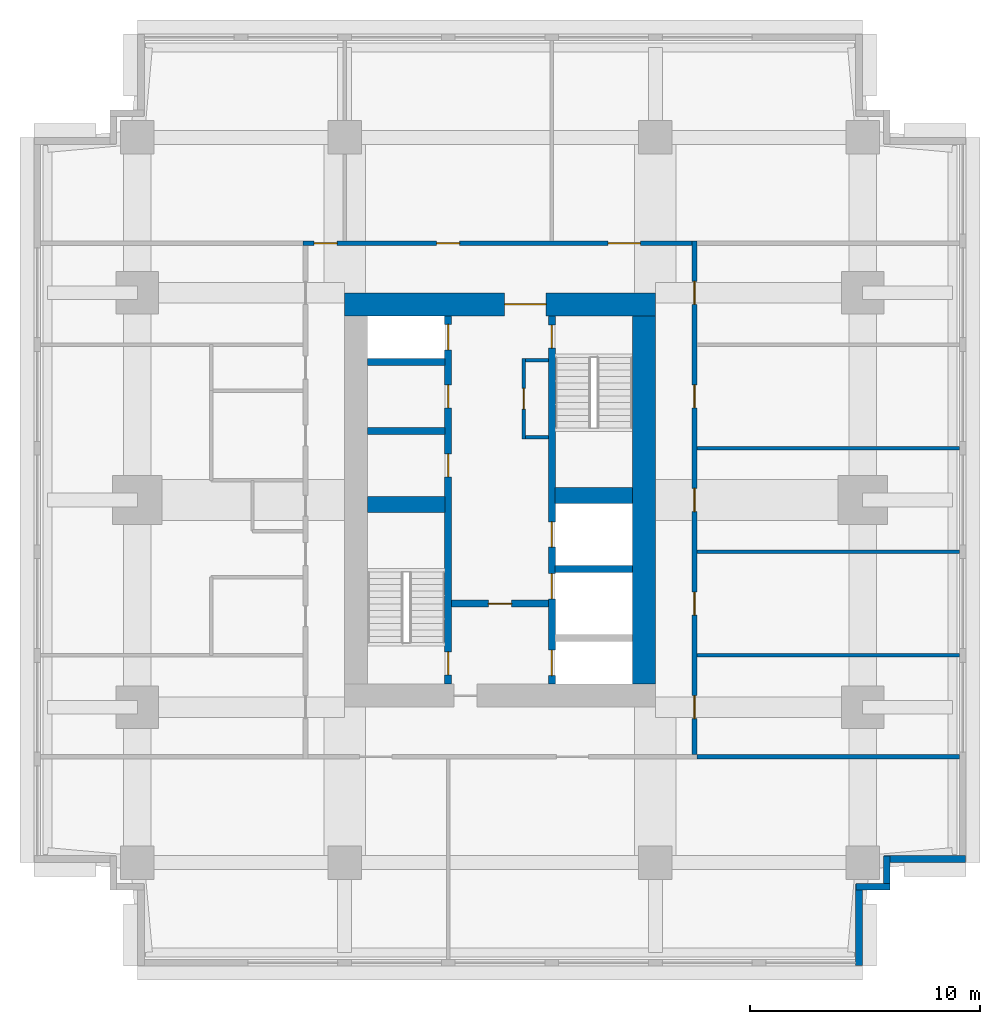
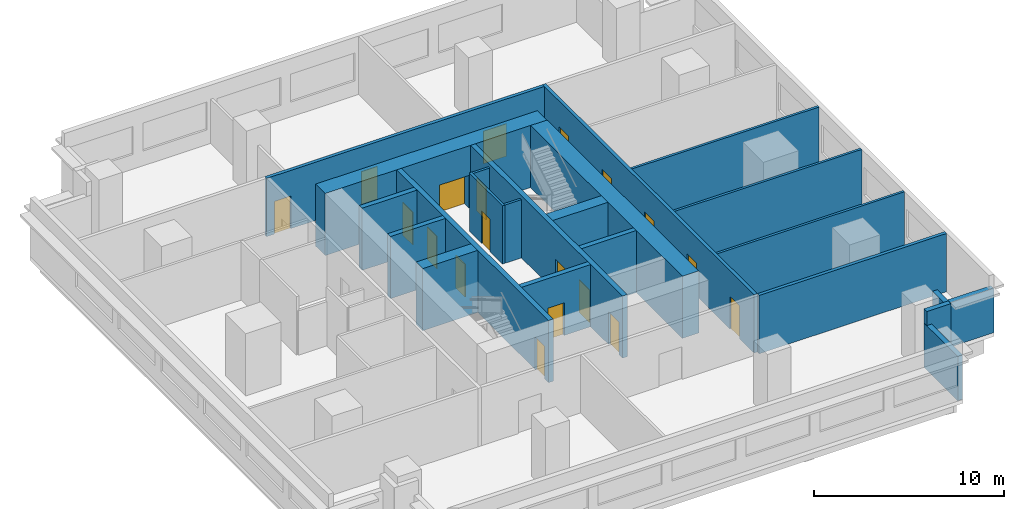
# One storey, part 3 of 5: 23 walls, 19 doors, 19 openings.
"""IFC4 building model written with IfcOpenShell, lengths in metres."""

from ifc_helpers import new_model, si_unit, direction, frame, frame_2d, origin, place, context, subcontext, project, spatial, rectangle, extrude, material, layer, layer_set, type_object, element, fill, save


model = new_model("IFC4")

# Units and contexts
model_context = context("Model", 3, precision=1e-05, world=origin(), true_north=direction((0.0, 1.0)))
body_context = subcontext(model_context, "Body", "Model", "MODEL_VIEW")
ifc_project = project(units=[si_unit("LENGTHUNIT", "METRE"), si_unit("AREAUNIT", "SQUARE_METRE"), si_unit("VOLUMEUNIT", "CUBIC_METRE"), si_unit("PLANEANGLEUNIT", "RADIAN"), si_unit("MASSUNIT", "GRAM", prefix="KILO")], contexts=[model_context])

# Site, building, storey
site_placement = place(None, origin())
site = spatial("IfcSite", under=ifc_project, at=site_placement, CompositionType="ELEMENT")
building_placement = place(site_placement, origin())
building = spatial("IfcBuilding", under=site, at=building_placement, Name="Namib Vertical Campus", CompositionType="ELEMENT")
storey_placement = place(building_placement, frame((0.0, 0.0, 257.0)))
storey = spatial("IfcBuildingStorey", under=building, at=storey_placement, Name="L60", CompositionType="ELEMENT", Elevation=257.0)

# Wall, openings, doors
ifc_material_1 = material(Name="Concrete C60/75", Category="concrete")
ifc_layer_1 = layer(ifc_material_1, 0.300048828125)
ifc_layer_set_1 = layer_set([ifc_layer_1], Name="Concrete C60/75")
wall_type_1 = type_object("IfcWallType", Name="Core inner wall 300", PredefinedType="SHEAR", material=ifc_layer_set_1)
wall_1_placement = place(storey_placement, frame((18.0, 12.25, 0.0), z_axis=(0.0, 0.0, 1.0), x_axis=(0.0, 1.0, 0.0)))
wall_1 = element("IfcWall", 1, at=wall_1_placement, inside=storey, type_object=wall_type_1, Name="Core inner wall A L60 W1", PredefinedType="SHEAR", context=body_context, shape_type="SweptSolid", body=[
    extrude(rectangle(XDim=16.0, YDim=0.300048828125, at=frame_2d((8.0, 0.0))), origin(), (0.0, 0.0, 1.0), 4.0),
])
opening_1_placement = place(wall_1_placement, frame((0.39990234375, 0.0, 0.0)))
opening_1 = element("IfcOpeningElement", 2, at=opening_1_placement, cuts=wall_1, Name="Opening FD1", PredefinedType="OPENING", context=body_context, shape_type="SweptSolid", body=[
    extrude(rectangle(XDim=1.0, YDim=2.10009765625, at=frame_2d((0.5, 1.050048828125))), frame((0.0, 0.159912109375, 0.0), z_axis=(0.0, -1.0, 0.0), x_axis=(1.0, 0.0, 0.0)), (0.0, 0.0, 1.0), 0.320068359375),
])
opening_2_placement = place(wall_1_placement, frame((14.52490234375, 0.0, 0.0)))
opening_2 = element("IfcOpeningElement", 3, at=opening_2_placement, cuts=wall_1, Name="Opening LD1", PredefinedType="OPENING", context=body_context, shape_type="SweptSolid", body=[
    extrude(rectangle(XDim=1.10009765625, YDim=2.10009765625, at=frame_2d((0.550048828125, 1.050048828125))), frame((0.0, 0.159912109375, 0.0), z_axis=(0.0, -1.0, 0.0), x_axis=(1.0, 0.0, 0.0)), (0.0, 0.0, 1.0), 0.320068359375),
])
opening_3_placement = place(wall_1_placement, frame((9.0, 0.0, 0.0)))
opening_3 = element("IfcOpeningElement", 4, at=opening_3_placement, cuts=wall_1, Name="Opening D1", PredefinedType="OPENING", context=body_context, shape_type="SweptSolid", body=[
    extrude(rectangle(XDim=1.0, YDim=2.10009765625, at=frame_2d((0.5, 1.050048828125))), frame((0.0, 0.159912109375, 0.0), z_axis=(0.0, -1.0, 0.0), x_axis=(1.0, 0.0, 0.0)), (0.0, 0.0, 1.0), 0.320068359375),
])
opening_4_placement = place(wall_1_placement, frame((12.0, 0.0, 0.0)))
opening_4 = element("IfcOpeningElement", 5, at=opening_4_placement, cuts=wall_1, Name="Opening D1", PredefinedType="OPENING", context=body_context, shape_type="SweptSolid", body=[
    extrude(rectangle(XDim=1.0, YDim=2.10009765625, at=frame_2d((0.5, 1.050048828125))), frame((0.0, 0.159912109375, 0.0), z_axis=(0.0, -1.0, 0.0), x_axis=(1.0, 0.0, 0.0)), (0.0, 0.0, 1.0), 0.320068359375),
])
ifc_material_2 = material(Name="Timber door leaf", Category="wood")
door_type_1 = type_object("IfcDoorType", Name="Door single 1000x2100", OperationType="SINGLE_SWING_LEFT", PredefinedType="DOOR", material=ifc_material_2)
door_1_placement = place(opening_3_placement, origin())
door_1 = element("IfcDoor", 6, at=door_1_placement, inside=storey, type_object=door_type_1, Name="Door D1 Store A L60 P1", OperationType="SINGLE_SWING_LEFT", OverallHeight=2.10009765625, OverallWidth=1.0, PredefinedType="DOOR", context=body_context, shape_type="SweptSolid", body=[
    extrude(rectangle(XDim=1.0, YDim=2.10009765625, at=frame_2d((0.5, 1.050048828125))), frame((0.0, 0.02490234375, 0.0), z_axis=(0.0, -1.0, 0.0), x_axis=(1.0, 0.0, 0.0)), (0.0, 0.0, 1.0), 0.050048828125),
])
fill(opening_3, door_1)
door_2_placement = place(opening_4_placement, origin())
door_2 = element("IfcDoor", 7, at=door_2_placement, inside=storey, type_object=door_type_1, Name="Door D1 Comms room A L60 P2", OperationType="SINGLE_SWING_LEFT", OverallHeight=2.10009765625, OverallWidth=1.0, PredefinedType="DOOR", context=body_context, shape_type="SweptSolid", body=[
    extrude(rectangle(XDim=1.0, YDim=2.10009765625, at=frame_2d((0.5, 1.050048828125))), frame((0.0, 0.02490234375, 0.0), z_axis=(0.0, -1.0, 0.0), x_axis=(1.0, 0.0, 0.0)), (0.0, 0.0, 1.0), 0.050048828125),
])
fill(opening_4, door_2)
ifc_material_3 = material(Name="Steel fire door", Category="steel")
door_type_2 = type_object("IfcDoorType", Name="Fire door 1000x2100", OperationType="SINGLE_SWING_RIGHT", PredefinedType="DOOR", material=ifc_material_3)
door_3_placement = place(opening_1_placement, origin())
door_3 = element("IfcDoor", 8, at=door_3_placement, inside=storey, type_object=door_type_2, Name="Stair door FD1 A L60 S1", OperationType="SINGLE_SWING_LEFT", OverallHeight=2.10009765625, OverallWidth=1.0, PredefinedType="DOOR", context=body_context, shape_type="SweptSolid", body=[
    extrude(rectangle(XDim=1.0, YDim=2.10009765625, at=frame_2d((0.5, 1.050048828125))), frame((0.0, 0.02490234375, 0.0), z_axis=(0.0, -1.0, 0.0), x_axis=(1.0, 0.0, 0.0)), (0.0, 0.0, 1.0), 0.050048828125),
])
fill(opening_1, door_3)
ifc_material_4 = material(Name="Stainless steel lift door", Category="steel")
door_type_3 = type_object("IfcDoorType", Name="Lift landing door 1100x2100", OperationType="DOUBLE_DOOR_SLIDING", PredefinedType="DOOR", material=ifc_material_4)
door_4_placement = place(opening_2_placement, origin())
door_4 = element("IfcDoor", 9, at=door_4_placement, inside=storey, type_object=door_type_3, Name="Lift landing door LD1 A-P3 L60", OperationType="DOUBLE_DOOR_SLIDING", OverallHeight=2.10009765625, OverallWidth=1.10009765625, PredefinedType="DOOR", context=body_context, shape_type="SweptSolid", body=[
    extrude(rectangle(XDim=1.10009765625, YDim=2.10009765625, at=frame_2d((0.550048828125, 1.050048828125))), frame((0.0, 0.02490234375, 0.0), z_axis=(0.0, -1.0, 0.0), x_axis=(1.0, 0.0, 0.0)), (0.0, 0.0, 1.0), 0.050048828125),
])
fill(opening_2, door_4)

wall_2_placement = place(storey_placement, frame((22.5, 12.25, 0.0), z_axis=(0.0, 0.0, 1.0), x_axis=(0.0, 1.0, 0.0)))
wall_2 = element("IfcWall", 10, at=wall_2_placement, inside=storey, type_object=wall_type_1, Name="Core inner wall A L60 W2", PredefinedType="SHEAR", context=body_context, shape_type="SweptSolid", body=[
    extrude(rectangle(XDim=16.0, YDim=0.300048828125, at=frame_2d((8.0, 0.0))), origin(), (0.0, 0.0, 1.0), 4.0),
])
opening_5_placement = place(wall_2_placement, frame((14.60009765625, 0.0, 0.0)))
opening_5 = element("IfcOpeningElement", 11, at=opening_5_placement, cuts=wall_2, Name="Opening FD1", PredefinedType="OPENING", context=body_context, shape_type="SweptSolid", body=[
    extrude(rectangle(XDim=1.0, YDim=2.10009765625, at=frame_2d((0.5, 1.050048828125))), frame((0.0, 0.159912109375, 0.0), z_axis=(0.0, -1.0, 0.0), x_axis=(1.0, 0.0, 0.0)), (0.0, 0.0, 1.0), 0.320068359375),
])
opening_6_placement = place(wall_2_placement, frame((0.375, 0.0, 0.0)))
opening_6 = element("IfcOpeningElement", 12, at=opening_6_placement, cuts=wall_2, Name="Opening LD1", PredefinedType="OPENING", context=body_context, shape_type="SweptSolid", body=[
    extrude(rectangle(XDim=1.10009765625, YDim=2.10009765625, at=frame_2d((0.550048828125, 1.050048828125))), frame((0.0, 0.159912109375, 0.0), z_axis=(0.0, -1.0, 0.0), x_axis=(1.0, 0.0, 0.0)), (0.0, 0.0, 1.0), 0.320068359375),
])
opening_7_placement = place(wall_2_placement, frame((3.699951171875, 0.0, 0.0)))
opening_7 = element("IfcOpeningElement", 13, at=opening_7_placement, cuts=wall_2, Name="Opening LD1", PredefinedType="OPENING", context=body_context, shape_type="SweptSolid", body=[
    extrude(rectangle(XDim=1.10009765625, YDim=2.10009765625, at=frame_2d((0.550048828125, 1.050048828125))), frame((0.0, 0.159912109375, 0.0), z_axis=(0.0, -1.0, 0.0), x_axis=(1.0, 0.0, 0.0)), (0.0, 0.0, 1.0), 0.320068359375),
])
opening_8_placement = place(wall_2_placement, frame((5.949951171875, 0.0, 0.0)))
opening_8 = element("IfcOpeningElement", 14, at=opening_8_placement, cuts=wall_2, Name="Opening LD1", PredefinedType="OPENING", context=body_context, shape_type="SweptSolid", body=[
    extrude(rectangle(XDim=1.10009765625, YDim=2.10009765625, at=frame_2d((0.550048828125, 1.050048828125))), frame((0.0, 0.159912109375, 0.0), z_axis=(0.0, -1.0, 0.0), x_axis=(1.0, 0.0, 0.0)), (0.0, 0.0, 1.0), 0.320068359375),
])
door_5_placement = place(opening_5_placement, frame((1.0, 0.0, 0.0), z_axis=(0.0, 0.0, 1.0), x_axis=(-1.0, 0.0, 0.0)))
door_5 = element("IfcDoor", 15, at=door_5_placement, inside=storey, type_object=door_type_2, Name="Stair door FD1 A L60 S2", OperationType="SINGLE_SWING_LEFT", OverallHeight=2.10009765625, OverallWidth=1.0, PredefinedType="DOOR", context=body_context, shape_type="SweptSolid", body=[
    extrude(rectangle(XDim=1.0, YDim=2.10009765625, at=frame_2d((0.5, 1.050048828125))), frame((0.0, 0.02490234375, 0.0), z_axis=(0.0, -1.0, 0.0), x_axis=(1.0, 0.0, 0.0)), (0.0, 0.0, 1.0), 0.050048828125),
])
fill(opening_5, door_5)
door_6_placement = place(opening_6_placement, origin())
door_6 = element("IfcDoor", 16, at=door_6_placement, inside=storey, type_object=door_type_3, Name="Lift landing door LD1 A-FL1 L60", OperationType="DOUBLE_DOOR_SLIDING", OverallHeight=2.10009765625, OverallWidth=1.10009765625, PredefinedType="DOOR", context=body_context, shape_type="SweptSolid", body=[
    extrude(rectangle(XDim=1.10009765625, YDim=2.10009765625, at=frame_2d((0.550048828125, 1.050048828125))), frame((0.0, 0.02490234375, 0.0), z_axis=(0.0, -1.0, 0.0), x_axis=(1.0, 0.0, 0.0)), (0.0, 0.0, 1.0), 0.050048828125),
])
fill(opening_6, door_6)
door_7_placement = place(opening_7_placement, origin())
door_7 = element("IfcDoor", 17, at=door_7_placement, inside=storey, type_object=door_type_3, Name="Lift landing door LD1 A-P4 L60", OperationType="DOUBLE_DOOR_SLIDING", OverallHeight=2.10009765625, OverallWidth=1.10009765625, PredefinedType="DOOR", context=body_context, shape_type="SweptSolid", body=[
    extrude(rectangle(XDim=1.10009765625, YDim=2.10009765625, at=frame_2d((0.550048828125, 1.050048828125))), frame((0.0, 0.02490234375, 0.0), z_axis=(0.0, -1.0, 0.0), x_axis=(1.0, 0.0, 0.0)), (0.0, 0.0, 1.0), 0.050048828125),
])
fill(opening_7, door_7)
door_8_placement = place(opening_8_placement, origin())
door_8 = element("IfcDoor", 18, at=door_8_placement, inside=storey, type_object=door_type_3, Name="Lift landing door LD1 A-P5 L60", OperationType="DOUBLE_DOOR_SLIDING", OverallHeight=2.10009765625, OverallWidth=1.10009765625, PredefinedType="DOOR", context=body_context, shape_type="SweptSolid", body=[
    extrude(rectangle(XDim=1.10009765625, YDim=2.10009765625, at=frame_2d((0.550048828125, 1.050048828125))), frame((0.0, 0.02490234375, 0.0), z_axis=(0.0, -1.0, 0.0), x_axis=(1.0, 0.0, 0.0)), (0.0, 0.0, 1.0), 0.050048828125),
])
fill(opening_8, door_8)

# Wall, opening, door
wall_3_placement = place(storey_placement, frame((18.14990234375, 15.75, 0.0), z_axis=(0.0, 0.0, 1.0), x_axis=(1.0, 0.0, 0.0)))
wall_3 = element("IfcWall", 19, at=wall_3_placement, inside=storey, type_object=wall_type_1, Name="Core inner wall A L60 W4", PredefinedType="SHEAR", context=body_context, shape_type="SweptSolid", body=[
    extrude(rectangle(XDim=4.2001953125, YDim=0.300048828125, at=frame_2d((2.10009765625, 0.0))), origin(), (0.0, 0.0, 1.0), 4.0),
])
opening_9_placement = place(wall_3_placement, frame((1.60009765625, 0.0, 0.0)))
opening_9 = element("IfcOpeningElement", 20, at=opening_9_placement, cuts=wall_3, Name="Opening FD5", PredefinedType="OPENING", context=body_context, shape_type="SweptSolid", body=[
    extrude(rectangle(XDim=1.0, YDim=2.10009765625, at=frame_2d((0.5, 1.050048828125))), frame((0.0, 0.159912109375, 0.0), z_axis=(0.0, -1.0, 0.0), x_axis=(1.0, 0.0, 0.0)), (0.0, 0.0, 1.0), 0.320068359375),
])
ifc_material_5 = material(Name="Steel fire door", Category="steel")
door_type_4 = type_object("IfcDoorType", Name="Fire door 1000x2100 120 min", OperationType="SINGLE_SWING_RIGHT", PredefinedType="DOOR", material=ifc_material_5)
door_9_placement = place(opening_9_placement, frame((1.0, 0.0, 0.0), z_axis=(0.0, 0.0, 1.0), x_axis=(-1.0, 0.0, 0.0)))
door_9 = element("IfcDoor", 21, at=door_9_placement, inside=storey, type_object=door_type_4, Name="Lobby door FD5 A L60", OperationType="SINGLE_SWING_RIGHT", OverallHeight=2.10009765625, OverallWidth=1.0, PredefinedType="DOOR", context=body_context, shape_type="SweptSolid", body=[
    extrude(rectangle(XDim=1.0, YDim=2.10009765625, at=frame_2d((0.5, 1.050048828125))), frame((0.0, 0.02490234375, 0.0), z_axis=(0.0, -1.0, 0.0), x_axis=(1.0, 0.0, 0.0)), (0.0, 0.0, 1.0), 0.050048828125),
])
fill(opening_9, door_9)

# Walls
for number, where, z_axis, x_axis, name in (
    (22, (22.64990234375, 17.25, 0.0), (0.0, 0.0, 1.0), (1.0, 0.0, 0.0), "Core inner wall A L60 W6"),
    (23, (14.5, 23.25, 0.0), (0.0, 0.0, 1.0), (1.0, 0.0, 0.0), "Core inner wall A L60 W8"),
    (24, (14.5, 26.25, 0.0), (0.0, 0.0, 1.0), (1.0, 0.0, 0.0), "Core inner wall A L60 W9"),
):
    element("IfcWall", number, at=place(storey_placement, frame(where, z_axis=z_axis, x_axis=x_axis)), inside=storey, type_object=wall_type_1, Name=name, PredefinedType="SHEAR", context=body_context, shape_type="SweptSolid", body=[
        extrude(rectangle(XDim=3.35009765625, YDim=0.300048828125, at=frame_2d((1.675048828125, 0.0))), origin(), (0.0, 0.0, 1.0), 4.0),
    ])
ifc_material_6 = material(Name="Concrete C60/75", Category="concrete")
ifc_layer_2 = layer(ifc_material_6, 0.699951171875)
ifc_layer_set_2 = layer_set([ifc_layer_2], Name="Concrete C60/75")
wall_type_2 = type_object("IfcWallType", Name="Core shear wall 700", PredefinedType="SHEAR", material=ifc_layer_set_2)
for number, where, z_axis, x_axis, name in (
    (25, (14.5, 20.050048828125, 0.0), (0.0, 0.0, 1.0), (1.0, 0.0, 0.0), "Core shear wall A L60 W3"),
    (26, (22.64990234375, 20.449951171875, 0.0), (0.0, 0.0, 1.0), (1.0, 0.0, 0.0), "Core shear wall A L60 W7"),
):
    element("IfcWall", number, at=place(storey_placement, frame(where, z_axis=z_axis, x_axis=x_axis)), inside=storey, type_object=wall_type_2, Name=name, PredefinedType="SHEAR", context=body_context, shape_type="SweptSolid", body=[
        extrude(rectangle(XDim=3.35009765625, YDim=0.699951171875, at=frame_2d((1.675048828125, 0.0))), origin(), (0.0, 0.0, 1.0), 4.0),
    ])
ifc_material_7 = material(Name="Concrete C60/75", Category="concrete")
ifc_layer_3 = layer(ifc_material_7, 1.0)
ifc_layer_set_3 = layer_set([ifc_layer_3], Name="Concrete C60/75")
wall_type_3 = type_object("IfcWallType", Name="Core wall 1000", PredefinedType="SHEAR", material=ifc_layer_set_3)
wall_4_placement = place(storey_placement, frame((26.5, 12.25, 0.0), z_axis=(0.0, 0.0, 1.0), x_axis=(0.0, 1.0, 0.0)))
element("IfcWall", 27, at=wall_4_placement, inside=storey, type_object=wall_type_3, Name="Core wall A L60 2", PredefinedType="SHEAR", context=body_context, shape_type="SweptSolid", body=[
    extrude(rectangle(XDim=16.0, YDim=1.0, at=frame_2d((8.0, 0.0))), origin(), (0.0, 0.0, 1.0), 4.0),
])

# Wall, opening, door
wall_5_placement = place(storey_placement, frame((27.0, 28.75, 0.0), z_axis=(0.0, 0.0, 1.0), x_axis=(-1.0, 0.0, 0.0)))
wall_5 = element("IfcWall", 28, at=wall_5_placement, inside=storey, type_object=wall_type_3, Name="Core wall A L60 3", PredefinedType="SHEAR", context=body_context, shape_type="SweptSolid", body=[
    extrude(rectangle(XDim=13.5, YDim=1.0, at=frame_2d((6.75, 0.0))), origin(), (0.0, 0.0, 1.0), 4.0),
])
opening_10_placement = place(wall_5_placement, frame((4.75, 0.0, 0.0)))
opening_10 = element("IfcOpeningElement", 29, at=opening_10_placement, cuts=wall_5, Name="Opening FD2", PredefinedType="OPENING", context=body_context, shape_type="SweptSolid", body=[
    extrude(rectangle(XDim=1.800048828125, YDim=2.10009765625, at=frame_2d((0.89990234375, 1.050048828125))), frame((0.0, 0.510009765625, 0.0), z_axis=(0.0, -1.0, 0.0), x_axis=(1.0, 0.0, 0.0)), (0.0, 0.0, 1.0), 1.02001953125),
])
ifc_material_8 = material(Name="Steel fire door", Category="steel")
door_type_5 = type_object("IfcDoorType", Name="Fire door double 1800x2100", OperationType="DOUBLE_DOOR_SINGLE_SWING", PredefinedType="DOOR", material=ifc_material_8)
door_10_placement = place(opening_10_placement, origin())
door_10 = element("IfcDoor", 30, at=door_10_placement, inside=storey, type_object=door_type_5, Name="Lift lobby door FD2 A L60", OperationType="DOUBLE_DOOR_SINGLE_SWING", OverallHeight=2.10009765625, OverallWidth=1.800048828125, PredefinedType="DOOR", context=body_context, shape_type="SweptSolid", body=[
    extrude(rectangle(XDim=1.800048828125, YDim=2.10009765625, at=frame_2d((0.89990234375, 1.050048828125))), frame((0.0, 0.02490234375, 0.0), z_axis=(0.0, -1.0, 0.0), x_axis=(1.0, 0.0, 0.0)), (0.0, 0.0, 1.0), 0.050048828125),
])
fill(opening_10, door_10)

# Wall, openings, doors
ifc_material_9 = material(Name="Concrete masonry", Category="masonry")
ifc_layer_4 = layer(ifc_material_9, 0.199951171875)
ifc_layer_set_4 = layer_set([ifc_layer_4], Name="Corridor wall 200")
wall_type_4 = type_object("IfcWallType", Name="Corridor wall 200", PredefinedType="SOLIDWALL", material=ifc_layer_set_4)
wall_6_placement = place(storey_placement, frame((28.699951171875, 9.199951171875, 0.0), z_axis=(0.0, 0.0, 1.0), x_axis=(0.0, 1.0, 0.0)))
wall_6 = element("IfcWall", 31, at=wall_6_placement, inside=storey, type_object=wall_type_4, Name="Corridor wall A L60 CE", PredefinedType="SOLIDWALL", context=body_context, shape_type="SweptSolid", body=[
    extrude(rectangle(XDim=22.300048828125, YDim=0.199951171875, at=frame_2d((11.14990234375, 0.0))), origin(), (0.0, 0.0, 1.0), 3.75),
])
opening_11_placement = place(wall_6_placement, frame((1.550048828125, 0.0, 0.0)))
opening_11 = element("IfcOpeningElement", 32, at=opening_11_placement, cuts=wall_6, Name="Opening CD1", PredefinedType="OPENING", context=body_context, shape_type="SweptSolid", body=[
    extrude(rectangle(XDim=1.0, YDim=2.10009765625, at=frame_2d((0.5, 1.050048828125))), frame((0.0, 0.10986328125, 0.0), z_axis=(0.0, -1.0, 0.0), x_axis=(1.0, 0.0, 0.0)), (0.0, 0.0, 1.0), 0.219970703125),
])
opening_12_placement = place(wall_6_placement, frame((6.050048828125, 0.0, 0.0)))
opening_12 = element("IfcOpeningElement", 33, at=opening_12_placement, cuts=wall_6, Name="Opening CD1", PredefinedType="OPENING", context=body_context, shape_type="SweptSolid", body=[
    extrude(rectangle(XDim=1.0, YDim=2.10009765625, at=frame_2d((0.5, 1.050048828125))), frame((0.0, 0.10986328125, 0.0), z_axis=(0.0, -1.0, 0.0), x_axis=(1.0, 0.0, 0.0)), (0.0, 0.0, 1.0), 0.219970703125),
])
opening_13_placement = place(wall_6_placement, frame((10.550048828125, 0.0, 0.0)))
opening_13 = element("IfcOpeningElement", 34, at=opening_13_placement, cuts=wall_6, Name="Opening CD1", PredefinedType="OPENING", context=body_context, shape_type="SweptSolid", body=[
    extrude(rectangle(XDim=1.0, YDim=2.10009765625, at=frame_2d((0.5, 1.050048828125))), frame((0.0, 0.10986328125, 0.0), z_axis=(0.0, -1.0, 0.0), x_axis=(1.0, 0.0, 0.0)), (0.0, 0.0, 1.0), 0.219970703125),
])
opening_14_placement = place(wall_6_placement, frame((15.050048828125, 0.0, 0.0)))
opening_14 = element("IfcOpeningElement", 35, at=opening_14_placement, cuts=wall_6, Name="Opening CD1", PredefinedType="OPENING", context=body_context, shape_type="SweptSolid", body=[
    extrude(rectangle(XDim=1.0, YDim=2.10009765625, at=frame_2d((0.5, 1.050048828125))), frame((0.0, 0.10986328125, 0.0), z_axis=(0.0, -1.0, 0.0), x_axis=(1.0, 0.0, 0.0)), (0.0, 0.0, 1.0), 0.219970703125),
])
opening_15_placement = place(wall_6_placement, frame((19.550048828125, 0.0, 0.0)))
opening_15 = element("IfcOpeningElement", 36, at=opening_15_placement, cuts=wall_6, Name="Opening CD1", PredefinedType="OPENING", context=body_context, shape_type="SweptSolid", body=[
    extrude(rectangle(XDim=1.0, YDim=2.10009765625, at=frame_2d((0.5, 1.050048828125))), frame((0.0, 0.10986328125, 0.0), z_axis=(0.0, -1.0, 0.0), x_axis=(1.0, 0.0, 0.0)), (0.0, 0.0, 1.0), 0.219970703125),
])
ifc_material_10 = material(Name="Timber fire door leaf", Category="wood")
door_type_6 = type_object("IfcDoorType", Name="Corridor door 1000x2100 20 min", OperationType="SINGLE_SWING_LEFT", PredefinedType="DOOR", material=ifc_material_10)
door_11_placement = place(opening_11_placement, frame((1.0, 0.0, 0.0), z_axis=(0.0, 0.0, 1.0), x_axis=(-1.0, 0.0, 0.0)))
door_11 = element("IfcDoor", 37, at=door_11_placement, inside=storey, type_object=door_type_6, Name="Door CD1 A60-03", OperationType="SINGLE_SWING_RIGHT", OverallHeight=2.10009765625, OverallWidth=1.0, PredefinedType="DOOR", context=body_context, shape_type="SweptSolid", body=[
    extrude(rectangle(XDim=1.0, YDim=2.10009765625, at=frame_2d((0.5, 1.050048828125))), frame((0.0, 0.02490234375, 0.0), z_axis=(0.0, -1.0, 0.0), x_axis=(1.0, 0.0, 0.0)), (0.0, 0.0, 1.0), 0.050048828125),
])
fill(opening_11, door_11)
door_12_placement = place(opening_12_placement, frame((1.0, 0.0, 0.0), z_axis=(0.0, 0.0, 1.0), x_axis=(-1.0, 0.0, 0.0)))
door_12 = element("IfcDoor", 38, at=door_12_placement, inside=storey, type_object=door_type_6, Name="Door CD1 A60-04", OperationType="SINGLE_SWING_RIGHT", OverallHeight=2.10009765625, OverallWidth=1.0, PredefinedType="DOOR", context=body_context, shape_type="SweptSolid", body=[
    extrude(rectangle(XDim=1.0, YDim=2.10009765625, at=frame_2d((0.5, 1.050048828125))), frame((0.0, 0.02490234375, 0.0), z_axis=(0.0, -1.0, 0.0), x_axis=(1.0, 0.0, 0.0)), (0.0, 0.0, 1.0), 0.050048828125),
])
fill(opening_12, door_12)
door_13_placement = place(opening_13_placement, frame((1.0, 0.0, 0.0), z_axis=(0.0, 0.0, 1.0), x_axis=(-1.0, 0.0, 0.0)))
door_13 = element("IfcDoor", 39, at=door_13_placement, inside=storey, type_object=door_type_6, Name="Door CD1 A60-05", OperationType="SINGLE_SWING_RIGHT", OverallHeight=2.10009765625, OverallWidth=1.0, PredefinedType="DOOR", context=body_context, shape_type="SweptSolid", body=[
    extrude(rectangle(XDim=1.0, YDim=2.10009765625, at=frame_2d((0.5, 1.050048828125))), frame((0.0, 0.02490234375, 0.0), z_axis=(0.0, -1.0, 0.0), x_axis=(1.0, 0.0, 0.0)), (0.0, 0.0, 1.0), 0.050048828125),
])
fill(opening_13, door_13)
door_14_placement = place(opening_14_placement, frame((1.0, 0.0, 0.0), z_axis=(0.0, 0.0, 1.0), x_axis=(-1.0, 0.0, 0.0)))
door_14 = element("IfcDoor", 40, at=door_14_placement, inside=storey, type_object=door_type_6, Name="Door CD1 A60-06", OperationType="SINGLE_SWING_RIGHT", OverallHeight=2.10009765625, OverallWidth=1.0, PredefinedType="DOOR", context=body_context, shape_type="SweptSolid", body=[
    extrude(rectangle(XDim=1.0, YDim=2.10009765625, at=frame_2d((0.5, 1.050048828125))), frame((0.0, 0.02490234375, 0.0), z_axis=(0.0, -1.0, 0.0), x_axis=(1.0, 0.0, 0.0)), (0.0, 0.0, 1.0), 0.050048828125),
])
fill(opening_14, door_14)
door_15_placement = place(opening_15_placement, frame((1.0, 0.0, 0.0), z_axis=(0.0, 0.0, 1.0), x_axis=(-1.0, 0.0, 0.0)))
door_15 = element("IfcDoor", 41, at=door_15_placement, inside=storey, type_object=door_type_6, Name="Door CD1 A60-07", OperationType="SINGLE_SWING_RIGHT", OverallHeight=2.10009765625, OverallWidth=1.0, PredefinedType="DOOR", context=body_context, shape_type="SweptSolid", body=[
    extrude(rectangle(XDim=1.0, YDim=2.10009765625, at=frame_2d((0.5, 1.050048828125))), frame((0.0, 0.02490234375, 0.0), z_axis=(0.0, -1.0, 0.0), x_axis=(1.0, 0.0, 0.0)), (0.0, 0.0, 1.0), 0.050048828125),
])
fill(opening_15, door_15)

wall_7_placement = place(storey_placement, frame((28.60009765625, 31.39990234375, 0.0), z_axis=(0.0, 0.0, 1.0), x_axis=(-1.0, 0.0, 0.0)))
wall_7 = element("IfcWall", 42, at=wall_7_placement, inside=storey, type_object=wall_type_4, Name="Corridor wall A L60 CN", PredefinedType="SOLIDWALL", context=body_context, shape_type="SweptSolid", body=[
    extrude(rectangle(XDim=16.900146484375, YDim=0.199951171875, at=frame_2d((8.4501953125, 0.0))), origin(), (0.0, 0.0, 1.0), 3.75),
])
opening_16_placement = place(wall_7_placement, frame((15.425048828125, 0.0, 0.0)))
opening_16 = element("IfcOpeningElement", 43, at=opening_16_placement, cuts=wall_7, Name="Opening CD1", PredefinedType="OPENING", context=body_context, shape_type="SweptSolid", body=[
    extrude(rectangle(XDim=1.0, YDim=2.10009765625, at=frame_2d((0.5, 1.050048828125))), frame((0.0, 0.10986328125, 0.0), z_axis=(0.0, -1.0, 0.0), x_axis=(1.0, 0.0, 0.0)), (0.0, 0.0, 1.0), 0.219970703125),
])
opening_17_placement = place(wall_7_placement, frame((10.10009765625, 0.0, 0.0)))
opening_17 = element("IfcOpeningElement", 44, at=opening_17_placement, cuts=wall_7, Name="Opening CD1", PredefinedType="OPENING", context=body_context, shape_type="SweptSolid", body=[
    extrude(rectangle(XDim=1.0, YDim=2.10009765625, at=frame_2d((0.5, 1.050048828125))), frame((0.0, 0.10986328125, 0.0), z_axis=(0.0, -1.0, 0.0), x_axis=(1.0, 0.0, 0.0)), (0.0, 0.0, 1.0), 0.219970703125),
])
opening_18_placement = place(wall_7_placement, frame((2.25, 0.0, 0.0)))
opening_18 = element("IfcOpeningElement", 45, at=opening_18_placement, cuts=wall_7, Name="Opening LB1", PredefinedType="OPENING", context=body_context, shape_type="SweptSolid", body=[
    extrude(rectangle(XDim=1.39990234375, YDim=2.10009765625, at=frame_2d((0.699951171875, 1.050048828125))), frame((0.0, 0.10986328125, 0.0), z_axis=(0.0, -1.0, 0.0), x_axis=(1.0, 0.0, 0.0)), (0.0, 0.0, 1.0), 0.219970703125),
])
door_16_placement = place(opening_16_placement, frame((1.0, 0.0, 0.0), z_axis=(0.0, 0.0, 1.0), x_axis=(-1.0, 0.0, 0.0)))
door_16 = element("IfcDoor", 46, at=door_16_placement, inside=storey, type_object=door_type_6, Name="Door CD1 A60-08", OperationType="SINGLE_SWING_RIGHT", OverallHeight=2.10009765625, OverallWidth=1.0, PredefinedType="DOOR", context=body_context, shape_type="SweptSolid", body=[
    extrude(rectangle(XDim=1.0, YDim=2.10009765625, at=frame_2d((0.5, 1.050048828125))), frame((0.0, 0.02490234375, 0.0), z_axis=(0.0, -1.0, 0.0), x_axis=(1.0, 0.0, 0.0)), (0.0, 0.0, 1.0), 0.050048828125),
])
fill(opening_16, door_16)
door_17_placement = place(opening_17_placement, frame((1.0, 0.0, 0.0), z_axis=(0.0, 0.0, 1.0), x_axis=(-1.0, 0.0, 0.0)))
door_17 = element("IfcDoor", 47, at=door_17_placement, inside=storey, type_object=door_type_6, Name="Door CD1 A60-09", OperationType="SINGLE_SWING_RIGHT", OverallHeight=2.10009765625, OverallWidth=1.0, PredefinedType="DOOR", context=body_context, shape_type="SweptSolid", body=[
    extrude(rectangle(XDim=1.0, YDim=2.10009765625, at=frame_2d((0.5, 1.050048828125))), frame((0.0, 0.02490234375, 0.0), z_axis=(0.0, -1.0, 0.0), x_axis=(1.0, 0.0, 0.0)), (0.0, 0.0, 1.0), 0.050048828125),
])
fill(opening_17, door_17)
ifc_material_11 = material(Name="Timber fire door leaf", Category="wood")
door_type_7 = type_object("IfcDoorType", Name="Laboratory door 1400x2100 leaf and a half", OperationType="DOUBLE_DOOR_SINGLE_SWING", PredefinedType="DOOR", material=ifc_material_11)
door_18_placement = place(opening_18_placement, frame((1.39990234375, 0.0, 0.0), z_axis=(0.0, 0.0, 1.0), x_axis=(-1.0, 0.0, 0.0)))
door_18 = element("IfcDoor", 48, at=door_18_placement, inside=storey, type_object=door_type_7, Name="Door LB1 A60-10", OperationType="DOUBLE_DOOR_SINGLE_SWING", OverallHeight=2.10009765625, OverallWidth=1.39990234375, PredefinedType="DOOR", context=body_context, shape_type="SweptSolid", body=[
    extrude(rectangle(XDim=1.39990234375, YDim=2.10009765625, at=frame_2d((0.699951171875, 1.050048828125))), frame((0.0, 0.02490234375, 0.0), z_axis=(0.0, -1.0, 0.0), x_axis=(1.0, 0.0, 0.0)), (0.0, 0.0, 1.0), 0.050048828125),
])
fill(opening_18, door_18)

# Walls
wall_8_placement = place(storey_placement, frame((28.800048828125, 9.10009765625, 0.0), z_axis=(0.0, 0.0, 1.0), x_axis=(1.0, 0.0, 0.0)))
element("IfcWall", 49, at=wall_8_placement, inside=storey, type_object=wall_type_4, Name="Partition A L60 BSE", PredefinedType="SOLIDWALL", context=body_context, shape_type="SweptSolid", body=[
    extrude(rectangle(XDim=11.39990234375, YDim=0.199951171875, at=frame_2d((5.699951171875, 0.0))), origin(), (0.0, 0.0, 1.0), 3.75),
])
ifc_material_12 = material(Name="Concrete C40/50", Category="concrete")
ifc_layer_5 = layer(ifc_material_12, 0.300048828125)
ifc_layer_set_5 = layer_set([ifc_layer_5], Name="Concrete C40/50")
wall_type_5 = type_object("IfcWallType", Name="External wall 300 board-marked concrete", PredefinedType="STANDARD", material=ifc_layer_set_5)
wall_9_placement = place(storey_placement, frame((35.85009765625, 0.02001953125, 0.0), z_axis=(0.0, 0.0, 1.0), x_axis=(0.0, 1.0, 0.0)))
element("IfcWall", 50, at=wall_9_placement, inside=storey, type_object=wall_type_5, Name="External wall L60 F02", PredefinedType="STANDARD", context=body_context, shape_type="SweptSolid", body=[
    extrude(rectangle(XDim=3.56005859375, YDim=0.300048828125, at=frame_2d((1.780029296875, 0.0))), origin(), (0.0, 0.0, 1.0), 2.85009765625),
])
for number, where, z_axis, x_axis, name in (
    (51, (35.719970703125, 3.449951171875, 0.0), (0.0, 0.0, 1.0), (1.0, 0.0, 0.0), "External wall L60 F03"),
    (52, (37.050048828125, 3.320068359375, 0.0), (0.0, 0.0, 1.0), (0.0, 1.0, 0.0), "External wall L60 F04"),
):
    element("IfcWall", number, at=place(storey_placement, frame(where, z_axis=z_axis, x_axis=x_axis)), inside=storey, type_object=wall_type_5, Name=name, PredefinedType="STANDARD", context=body_context, shape_type="SweptSolid", body=[
        extrude(rectangle(XDim=1.4599609375, YDim=0.300048828125, at=frame_2d((0.72998046875, 0.0))), origin(), (0.0, 0.0, 1.0), 3.75),
    ])
wall_10_placement = place(storey_placement, frame((36.919921875, 4.64990234375, 0.0), z_axis=(0.0, 0.0, 1.0), x_axis=(1.0, 0.0, 0.0)))
element("IfcWall", 53, at=wall_10_placement, inside=storey, type_object=wall_type_5, Name="External wall L60 F05", PredefinedType="STANDARD", context=body_context, shape_type="SweptSolid", body=[
    extrude(rectangle(XDim=3.56005859375, YDim=0.300048828125, at=frame_2d((1.780029296875, 0.0))), origin(), (0.0, 0.0, 1.0), 2.85009765625),
])

# Wall, opening, door
ifc_material_13 = material(Name="Gypsum board on steel studs", Category="steel")
ifc_layer_6 = layer(ifc_material_13, 0.14990234375)
ifc_layer_set_6 = layer_set([ifc_layer_6], Name="Gypsum board on steel studs")
wall_type_6 = type_object("IfcWallType", Name="Partition 150", PredefinedType="PARTITIONING", material=ifc_layer_set_6)
wall_11_placement = place(storey_placement, frame((21.27490234375, 22.89990234375, 0.0), z_axis=(0.0, 0.0, 1.0), x_axis=(0.0, 1.0, 0.0)))
wall_11 = element("IfcWall", 54, at=wall_11_placement, inside=storey, type_object=wall_type_6, Name="Partition A L60 Staff pantry front", PredefinedType="PARTITIONING", context=body_context, shape_type="SweptSolid", body=[
    extrude(rectangle(XDim=3.5, YDim=0.14990234375, at=frame_2d((1.75, 0.0))), origin(), (0.0, 0.0, 1.0), 3.75),
])
opening_19_placement = place(wall_11_placement, frame((1.300048828125, 0.0, 0.0)))
opening_19 = element("IfcOpeningElement", 55, at=opening_19_placement, cuts=wall_11, Name="Opening D3", PredefinedType="OPENING", context=body_context, shape_type="SweptSolid", body=[
    extrude(rectangle(XDim=0.89990234375, YDim=2.10009765625, at=frame_2d((0.449951171875, 1.050048828125))), frame((0.0, 0.0849609375, 0.0), z_axis=(0.0, -1.0, 0.0), x_axis=(1.0, 0.0, 0.0)), (0.0, 0.0, 1.0), 0.169921875),
])
ifc_material_14 = material(Name="Timber door leaf", Category="wood")
door_type_8 = type_object("IfcDoorType", Name="Toilet door 900x2100", OperationType="SINGLE_SWING_LEFT", PredefinedType="DOOR", material=ifc_material_14)
door_19_placement = place(opening_19_placement, frame((0.89990234375, 0.0, 0.0), z_axis=(0.0, 0.0, 1.0), x_axis=(-1.0, 0.0, 0.0)))
door_19 = element("IfcDoor", 56, at=door_19_placement, inside=storey, type_object=door_type_8, Name="Door D3 Staff pantry A L60", OperationType="SINGLE_SWING_RIGHT", OverallHeight=2.10009765625, OverallWidth=0.89990234375, PredefinedType="DOOR", context=body_context, shape_type="SweptSolid", body=[
    extrude(rectangle(XDim=0.89990234375, YDim=2.10009765625, at=frame_2d((0.449951171875, 1.050048828125))), frame((0.0, 0.02490234375, 0.0), z_axis=(0.0, -1.0, 0.0), x_axis=(1.0, 0.0, 0.0)), (0.0, 0.0, 1.0), 0.050048828125),
])
fill(opening_19, door_19)

# Walls
for number, where, z_axis, x_axis, name in (
    (57, (21.35009765625, 22.97509765625, 0.0), (0.0, 0.0, 1.0), (1.0, 0.0, 0.0), "Partition A L60 Staff pantry end 1"),
    (58, (21.35009765625, 26.324951171875, 0.0), (0.0, 0.0, 1.0), (1.0, 0.0, 0.0), "Partition A L60 Staff pantry end 2"),
):
    element("IfcWall", number, at=place(storey_placement, frame(where, z_axis=z_axis, x_axis=x_axis)), inside=storey, type_object=wall_type_6, Name=name, PredefinedType="PARTITIONING", context=body_context, shape_type="SweptSolid", body=[
        extrude(rectangle(XDim=1.0, YDim=0.14990234375, at=frame_2d((0.5, 0.0))), origin(), (0.0, 0.0, 1.0), 3.75),
    ])
for number, where, z_axis, x_axis, name in (
    (59, (28.800048828125, 13.5, 0.0), (0.0, 0.0, 1.0), (1.0, 0.0, 0.0), "Partition A L60 PE1"),
    (60, (28.800048828125, 18.0, 0.0), (0.0, 0.0, 1.0), (1.0, 0.0, 0.0), "Partition A L60 PE2"),
    (61, (28.800048828125, 22.5, 0.0), (0.0, 0.0, 1.0), (1.0, 0.0, 0.0), "Partition A L60 PE3"),
):
    element("IfcWall", number, at=place(storey_placement, frame(where, z_axis=z_axis, x_axis=x_axis)), inside=storey, type_object=wall_type_6, Name=name, PredefinedType="PARTITIONING", context=body_context, shape_type="SweptSolid", body=[
        extrude(rectangle(XDim=11.39990234375, YDim=0.14990234375, at=frame_2d((5.699951171875, 0.0))), origin(), (0.0, 0.0, 1.0), 3.75),
    ])

save(model, "model.ifc")
